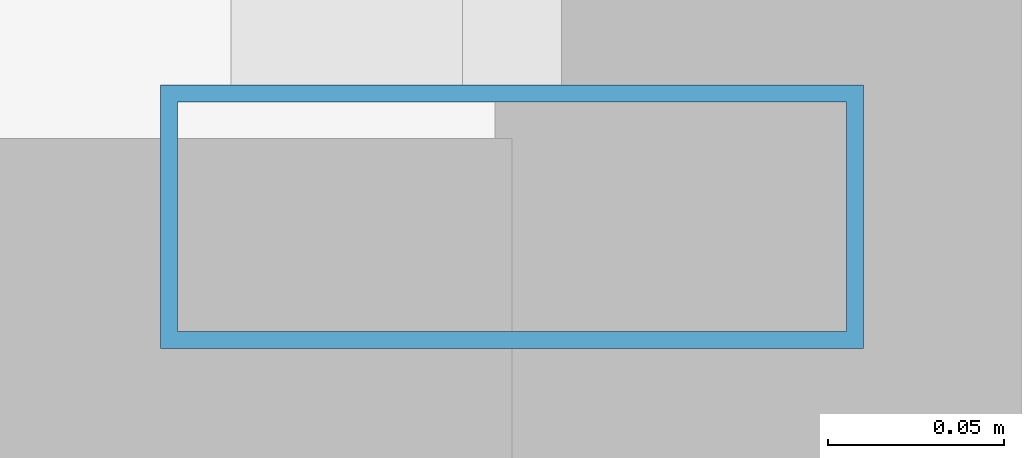
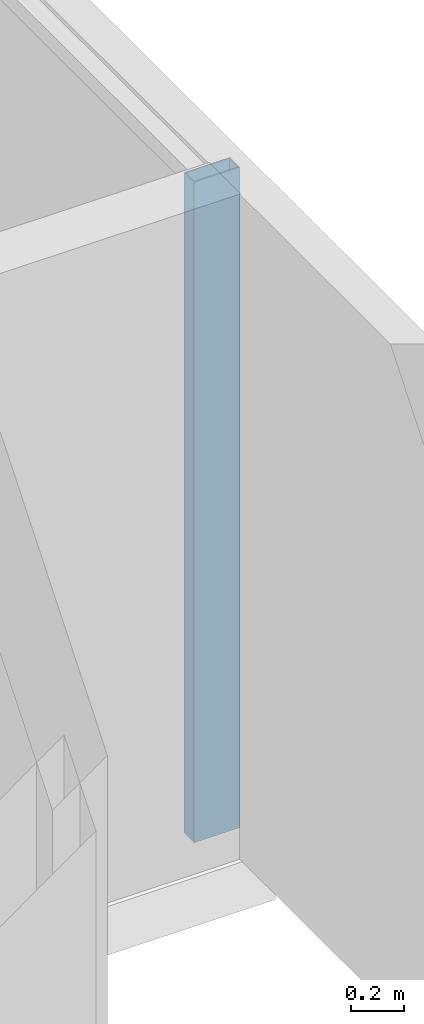
# One storey, part 11 of 31: 1 member, 1 element without a shape of its own.
"""IFC4 building model written with IfcOpenShell, lengths in metres."""

from ifc_helpers import new_model, si_unit, direction, frame, origin, origin_2d, place, context, subcontext, project, spatial, hollow_rectangle, extrude, source, transform, mapped, material, layer, layer_set, material_profile, profile_set, type_object, element, aggregate, save


model = new_model("IFC4")

# Units and contexts
model_context = context("Model", 3, precision=1e-05, world=origin(), true_north=direction((0.0, 1.0)))
body_context = subcontext(model_context, "Body", "Model", "MODEL_VIEW")
ifc_project = project(units=[si_unit("LENGTHUNIT", "METRE"), si_unit("AREAUNIT", "SQUARE_METRE"), si_unit("VOLUMEUNIT", "CUBIC_METRE"), si_unit("PLANEANGLEUNIT", "RADIAN"), si_unit("MASSUNIT", "GRAM", prefix="KILO")], contexts=[model_context])

# Site, building, storey
site_placement = place(None, origin())
site = spatial("IfcSite", under=ifc_project, at=site_placement, CompositionType="ELEMENT")
building_placement = place(site_placement, origin())
building = spatial("IfcBuilding", under=site, at=building_placement, Name="Zarnakvel Exchange Tower", CompositionType="ELEMENT")
storey_placement = place(building_placement, frame((0.0, 0.0, 53.800048828125)))
storey = spatial("IfcBuildingStorey", under=building, at=storey_placement, Name="L14", CompositionType="ELEMENT", Elevation=53.800048828125)

# Curtain wall, member
ifc_material = material(Name="Architectural Bronze Anodised Aluminium", Category="aluminium")
ifc_layer = layer(ifc_material, 0.199951171875)
ifc_layer_set = layer_set([ifc_layer], Name="Architectural Bronze Anodised Aluminium")
curtain_wall_type = type_object("IfcCurtainWallType", Name="CW-04", PredefinedType="NOTDEFINED", material=ifc_layer_set)
curtain_wall_placement = place(storey_placement, origin())
curtain_wall = element("IfcCurtainWall", 1, at=curtain_wall_placement, inside=storey, type_object=curtain_wall_type, Name="L14 Curtain Wall CW-L14-E1 (CW-04)", PredefinedType="NOTDEFINED")
ifc_material_profile = material_profile(ifc_material, hollow_rectangle(XDim=0.199951171875, YDim=0.074951171875, WallThickness=0.0048828125, at=origin_2d()))
ifc_profile_set = profile_set([ifc_material_profile], Name="Architectural Bronze Anodised Aluminium")
member_type = type_object("IfcMemberType", Name="CWM-04", PredefinedType="MULLION", material=ifc_profile_set)
shared_shape = source(origin(), body_context, "Body", "SweptSolid", [
    extrude(hollow_rectangle(XDim=0.199951171875, YDim=0.074951171875, WallThickness=0.0048828125, at=origin_2d()), origin(), (0.0, 0.0, 1.0), 3.054931640625),
])
member_placement = place(storey_placement, frame((32.4599609375, -14.96240234375, 0.0), z_axis=(0.0, 0.0, 1.0), x_axis=(-1.0, 0.0, 0.0)))
member = element("IfcMember", 2, at=member_placement, type_object=member_type, Name="CW-04 mullion 1", PredefinedType="MULLION", context=body_context, shape_type="MappedRepresentation", body=[
    mapped(shared_shape, transform((0.0, 0.0, 0.0), x_axis=(1.0, 0.0, 0.0), y_axis=(0.0, 1.0, 0.0), z_axis=(0.0, 0.0, 1.0), scale=1.0)),
])
aggregate(curtain_wall, [member])

save(model, "model.ifc")
